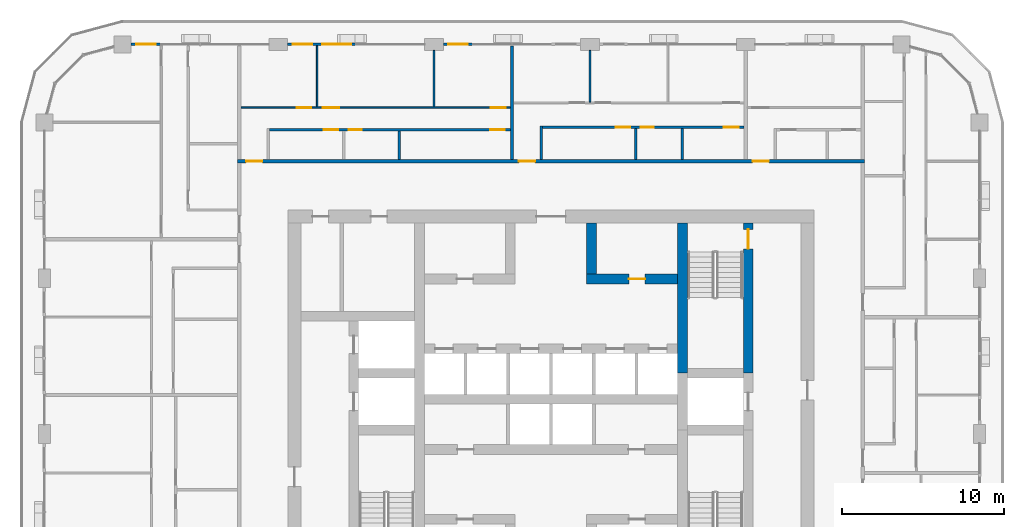
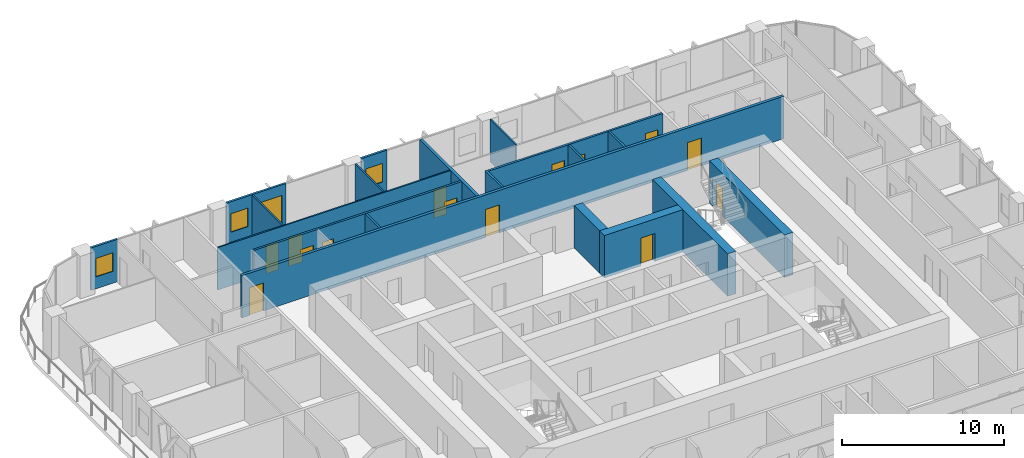
# One storey, part 14 of 22: 19 walls, 15 doors, 3 windows, 18 openings.
"""IFC4 building model written with IfcOpenShell, lengths in metres."""

from ifc_helpers import new_model, si_unit, direction, frame, frame_2d, origin, place, context, subcontext, project, spatial, rectangle, extrude, material, layer, layer_set, type_object, element, fill, save


model = new_model("IFC4")

# Units and contexts
model_context = context("Model", 3, precision=1e-05, world=origin(), true_north=direction((0.0, 1.0)))
body_context = subcontext(model_context, "Body", "Model", "MODEL_VIEW")
ifc_project = project(units=[si_unit("LENGTHUNIT", "METRE"), si_unit("AREAUNIT", "SQUARE_METRE"), si_unit("VOLUMEUNIT", "CUBIC_METRE"), si_unit("PLANEANGLEUNIT", "RADIAN"), si_unit("MASSUNIT", "GRAM", prefix="KILO")], contexts=[model_context])

# Site, building, storey
site_placement = place(None, origin())
site = spatial("IfcSite", under=ifc_project, at=site_placement, CompositionType="ELEMENT")
building_placement = place(site_placement, origin())
building = spatial("IfcBuilding", under=site, at=building_placement, Name="Madar Terraces", CompositionType="ELEMENT")
storey_placement = place(building_placement, frame((0.0, 0.0, 163.0)))
storey = spatial("IfcBuildingStorey", under=building, at=storey_placement, Name="L42", CompositionType="ELEMENT", Elevation=163.0)

# Wall
ifc_material_1 = material(Name="Concrete C70/85", Category="concrete")
ifc_layer_1 = layer(ifc_material_1, 0.60009765625)
ifc_layer_set_1 = layer_set([ifc_layer_1], Name="Concrete C70/85 (CIW3 RC wall 600)")
wall_type_1 = type_object("IfcWallType", Name="CIW3 RC wall 600", PredefinedType="SHEAR", material=ifc_layer_set_1)
wall_1_placement = place(storey_placement, frame((39.300048828125, 27.75, 0.0), z_axis=(0.0, 0.0, 1.0), x_axis=(0.0, 1.0, 0.0)))
element("IfcWall", 1, at=wall_1_placement, inside=storey, type_object=wall_type_1, Name="CORE SHAFT WALL", PredefinedType="SHEAR", context=body_context, shape_type="SweptSolid", body=[
    extrude(rectangle(XDim=9.25, YDim=0.60009765625, at=frame_2d((4.625, 0.0))), origin(), (0.0, 0.0, 1.0), 3.199951171875),
])

# Wall, opening, door
wall_2_placement = place(storey_placement, frame((43.35009765625, 27.75, 0.0), z_axis=(0.0, 0.0, 1.0), x_axis=(0.0, 1.0, 0.0)))
wall_2 = element("IfcWall", 2, at=wall_2_placement, inside=storey, type_object=wall_type_1, Name="CORE SHAFT WALL", PredefinedType="SHEAR", context=body_context, shape_type="SweptSolid", body=[
    extrude(rectangle(XDim=9.25, YDim=0.60009765625, at=frame_2d((4.625, 0.0))), origin(), (0.0, 0.0, 1.0), 3.199951171875),
])
opening_1_placement = place(wall_2_placement, frame((7.64990234375, 0.0, 0.0)))
opening_1 = element("IfcOpeningElement", 3, at=opening_1_placement, cuts=wall_2, Name="Opening SD1", PredefinedType="OPENING", context=body_context, shape_type="SweptSolid", body=[
    extrude(rectangle(XDim=1.199951171875, YDim=2.10009765625, at=frame_2d((0.60009765625, 1.050048828125))), frame((0.0, 0.31005859375, 0.0), z_axis=(0.0, -1.0, 0.0), x_axis=(1.0, 0.0, 0.0)), (0.0, 0.0, 1.0), 0.6201171875),
])
ifc_material_2 = material(Name="Steel door leaf", Category="steel")
door_type_1 = type_object("IfcDoorType", Name="Stair door 1200 x 2100", OperationType="NOTDEFINED", PredefinedType="DOOR", material=ifc_material_2)
door_1_placement = place(opening_1_placement, origin())
door_1 = element("IfcDoor", 4, at=door_1_placement, inside=storey, type_object=door_type_1, Name="STAIR DOOR", OperationType="SINGLE_SWING_RIGHT", OverallHeight=2.10009765625, OverallWidth=1.199951171875, PredefinedType="DOOR", context=body_context, shape_type="SweptSolid", body=[
    extrude(rectangle(XDim=1.199951171875, YDim=2.10009765625, at=frame_2d((0.60009765625, 1.050048828125))), frame((0.0, 0.02490234375, 0.0), z_axis=(0.0, -1.0, 0.0), x_axis=(1.0, 0.0, 0.0)), (0.0, 0.0, 1.0), 0.050048828125),
])
fill(opening_1, door_1)

wall_3_placement = place(storey_placement, frame((33.39990234375, 33.550048828125, 0.0), z_axis=(0.0, 0.0, 1.0), x_axis=(1.0, 0.0, 0.0)))
wall_3 = element("IfcWall", 5, at=wall_3_placement, inside=storey, type_object=wall_type_1, Name="CORE SHAFT WALL", PredefinedType="SHEAR", context=body_context, shape_type="SweptSolid", body=[
    extrude(rectangle(XDim=5.60009765625, YDim=0.60009765625, at=frame_2d((2.800048828125, 0.0))), origin(), (0.0, 0.0, 1.0), 3.199951171875),
])
opening_2_placement = place(wall_3_placement, frame((2.60009765625, 0.0, 0.0)))
opening_2 = element("IfcOpeningElement", 6, at=opening_2_placement, cuts=wall_3, Name="Opening KD2", PredefinedType="OPENING", context=body_context, shape_type="SweptSolid", body=[
    extrude(rectangle(XDim=1.0, YDim=2.10009765625, at=frame_2d((0.5, 1.050048828125))), frame((0.0, 0.31005859375, 0.0), z_axis=(0.0, -1.0, 0.0), x_axis=(1.0, 0.0, 0.0)), (0.0, 0.0, 1.0), 0.6201171875),
])
ifc_material_3 = material(Name="Steel door leaf", Category="steel")
door_type_2 = type_object("IfcDoorType", Name="Service room door 1000 x 2100", OperationType="NOTDEFINED", PredefinedType="DOOR", material=ifc_material_3)
door_2_placement = place(opening_2_placement, frame((1.0, 0.0, 0.0), z_axis=(0.0, 0.0, 1.0), x_axis=(-1.0, 0.0, 0.0)))
door_2 = element("IfcDoor", 7, at=door_2_placement, inside=storey, type_object=door_type_2, Name="SERVICE ROOM DOOR", OperationType="SINGLE_SWING_RIGHT", OverallHeight=2.10009765625, OverallWidth=1.0, PredefinedType="DOOR", context=body_context, shape_type="SweptSolid", body=[
    extrude(rectangle(XDim=1.0, YDim=2.10009765625, at=frame_2d((0.5, 1.050048828125))), frame((0.0, 0.02490234375, 0.0), z_axis=(0.0, -1.0, 0.0), x_axis=(1.0, 0.0, 0.0)), (0.0, 0.0, 1.0), 0.050048828125),
])
fill(opening_2, door_2)

# Wall
wall_4_placement = place(storey_placement, frame((33.699951171875, 33.85009765625, 0.0), z_axis=(0.0, 0.0, 1.0), x_axis=(0.0, 1.0, 0.0)))
element("IfcWall", 8, at=wall_4_placement, inside=storey, type_object=wall_type_1, Name="CORE SHAFT WALL", PredefinedType="SHEAR", context=body_context, shape_type="SweptSolid", body=[
    extrude(rectangle(XDim=3.14990234375, YDim=0.60009765625, at=frame_2d((1.574951171875, 0.0))), origin(), (0.0, 0.0, 1.0), 3.199951171875),
])

# Wall, opening, window
ifc_material_4 = material(Name="Aluminium composite panel, black, over insulated backing", Category="aluminium")
ifc_layer_2 = layer(ifc_material_4, 0.14990234375)
ifc_layer_set_2 = layer_set([ifc_layer_2], Name="Facade bay panel 150")
wall_type_2 = type_object("IfcWallType", Name="Facade bay panel 150", PredefinedType="SOLIDWALL", material=ifc_layer_set_2)
wall_5_placement = place(storey_placement, frame((26.39990234375, 48.0, 0.0), z_axis=(0.0, 0.0, 1.0), x_axis=(-1.0, 0.0, 0.0)))
wall_5 = element("IfcWall", 9, at=wall_5_placement, inside=storey, type_object=wall_type_2, Name="Facade bay panel", PredefinedType="SOLIDWALL", context=body_context, shape_type="SweptSolid", body=[
    extrude(rectangle(XDim=1.824951171875, YDim=0.14990234375, at=frame_2d((0.91259765625, 0.0))), origin(), (0.0, 0.0, 1.0), 3.199951171875),
])
opening_3_placement = place(wall_5_placement, frame((0.3125, 0.0, 0.89990234375)))
opening_3 = element("IfcOpeningElement", 10, at=opening_3_placement, cuts=wall_5, Name="Opening W1", PredefinedType="OPENING", context=body_context, shape_type="SweptSolid", body=[
    extrude(rectangle(XDim=1.199951171875, YDim=1.39990234375, at=frame_2d((0.60009765625, 0.699951171875))), frame((0.0, 0.0849609375, 0.0), z_axis=(0.0, -1.0, 0.0), x_axis=(1.0, 0.0, 0.0)), (0.0, 0.0, 1.0), 0.169921875),
])
ifc_material_5 = material(Name="Glass, clear, with black aluminium frame", Category="aluminium")
window_type = type_object("IfcWindowType", Name="Vent window 1200 x 1400", PartitioningType="SINGLE_PANEL", PredefinedType="WINDOW", material=ifc_material_5)
window_1_placement = place(opening_3_placement, origin())
window_1 = element("IfcWindow", 11, at=window_1_placement, inside=storey, type_object=window_type, Name="Operable vent window", OverallHeight=1.39990234375, OverallWidth=1.199951171875, PartitioningType="SINGLE_PANEL", PredefinedType="WINDOW", context=body_context, shape_type="SweptSolid", body=[
    extrude(rectangle(XDim=1.199951171875, YDim=1.39990234375, at=frame_2d((0.60009765625, 0.699951171875))), frame((0.0, 0.030029296875, 0.0), z_axis=(0.0, -1.0, 0.0), x_axis=(1.0, 0.0, 0.0)), (0.0, 0.0, 1.0), 0.06005859375),
])
fill(opening_3, window_1)

# Wall, openings, door, window
wall_6_placement = place(storey_placement, frame((19.199951171875, 48.0, 0.0), z_axis=(0.0, 0.0, 1.0), x_axis=(-1.0, 0.0, 0.0)))
wall_6 = element("IfcWall", 12, at=wall_6_placement, inside=storey, type_object=wall_type_2, Name="Facade bay panel", PredefinedType="SOLIDWALL", context=body_context, shape_type="SweptSolid", body=[
    extrude(rectangle(XDim=4.224853515625, YDim=0.14990234375, at=frame_2d((2.1123046875, 0.0))), origin(), (0.0, 0.0, 1.0), 3.199951171875),
])
opening_4_placement = place(wall_6_placement, frame((0.300048828125, 0.0, 0.0)))
opening_4 = element("IfcOpeningElement", 13, at=opening_4_placement, cuts=wall_6, Name="Opening ED1", PredefinedType="OPENING", context=body_context, shape_type="SweptSolid", body=[
    extrude(rectangle(XDim=1.800048828125, YDim=2.39990234375, at=frame_2d((0.89990234375, 1.199951171875))), frame((0.0, 0.0849609375, 0.0), z_axis=(0.0, -1.0, 0.0), x_axis=(1.0, 0.0, 0.0)), (0.0, 0.0, 1.0), 0.169921875),
])
opening_5_placement = place(wall_6_placement, frame((2.71240234375, 0.0, 0.89990234375)))
opening_5 = element("IfcOpeningElement", 14, at=opening_5_placement, cuts=wall_6, Name="Opening W1", PredefinedType="OPENING", context=body_context, shape_type="SweptSolid", body=[
    extrude(rectangle(XDim=1.199951171875, YDim=1.39990234375, at=frame_2d((0.60009765625, 0.699951171875))), frame((0.0, 0.0849609375, 0.0), z_axis=(0.0, -1.0, 0.0), x_axis=(1.0, 0.0, 0.0)), (0.0, 0.0, 1.0), 0.169921875),
])
ifc_material_6 = material(Name="Glass, clear, with black aluminium frame", Category="aluminium")
door_type_3 = type_object("IfcDoorType", Name="Balcony and terrace sliding door 1800 x 2400", OperationType="SLIDING_TO_LEFT", PredefinedType="DOOR", material=ifc_material_6)
door_3_placement = place(opening_4_placement, origin())
door_3 = element("IfcDoor", 15, at=door_3_placement, inside=storey, type_object=door_type_3, Name="Balcony door", OperationType="SLIDING_TO_RIGHT", OverallHeight=2.39990234375, OverallWidth=1.800048828125, PredefinedType="DOOR", context=body_context, shape_type="SweptSolid", body=[
    extrude(rectangle(XDim=1.800048828125, YDim=2.39990234375, at=frame_2d((0.89990234375, 1.199951171875))), frame((0.0, 0.02490234375, 0.0), z_axis=(0.0, -1.0, 0.0), x_axis=(1.0, 0.0, 0.0)), (0.0, 0.0, 1.0), 0.050048828125),
])
fill(opening_4, door_3)
window_2_placement = place(opening_5_placement, origin())
window_2 = element("IfcWindow", 16, at=window_2_placement, inside=storey, type_object=window_type, Name="Operable vent window", OverallHeight=1.39990234375, OverallWidth=1.199951171875, PartitioningType="SINGLE_PANEL", PredefinedType="WINDOW", context=body_context, shape_type="SweptSolid", body=[
    extrude(rectangle(XDim=1.199951171875, YDim=1.39990234375, at=frame_2d((0.60009765625, 0.699951171875))), frame((0.0, 0.030029296875, 0.0), z_axis=(0.0, -1.0, 0.0), x_axis=(1.0, 0.0, 0.0)), (0.0, 0.0, 1.0), 0.06005859375),
])
fill(opening_5, window_2)

# Wall, opening, window
wall_7_placement = place(storey_placement, frame((7.199951171875, 48.0, 0.0), z_axis=(0.0, 0.0, 1.0), x_axis=(-1.0, 0.0, 0.0)))
wall_7 = element("IfcWall", 17, at=wall_7_placement, inside=storey, type_object=wall_type_2, Name="Facade bay panel", PredefinedType="SOLIDWALL", context=body_context, shape_type="SweptSolid", body=[
    extrude(rectangle(XDim=1.875, YDim=0.14990234375, at=frame_2d((0.9375, 0.0))), origin(), (0.0, 0.0, 1.0), 3.199951171875),
])
opening_6_placement = place(wall_7_placement, frame((0.33740234375, 0.0, 0.89990234375)))
opening_6 = element("IfcOpeningElement", 18, at=opening_6_placement, cuts=wall_7, Name="Opening W1", PredefinedType="OPENING", context=body_context, shape_type="SweptSolid", body=[
    extrude(rectangle(XDim=1.199951171875, YDim=1.39990234375, at=frame_2d((0.60009765625, 0.699951171875))), frame((0.0, 0.0849609375, 0.0), z_axis=(0.0, -1.0, 0.0), x_axis=(1.0, 0.0, 0.0)), (0.0, 0.0, 1.0), 0.169921875),
])
window_3_placement = place(opening_6_placement, origin())
window_3 = element("IfcWindow", 19, at=window_3_placement, inside=storey, type_object=window_type, Name="Operable vent window", OverallHeight=1.39990234375, OverallWidth=1.199951171875, PartitioningType="SINGLE_PANEL", PredefinedType="WINDOW", context=body_context, shape_type="SweptSolid", body=[
    extrude(rectangle(XDim=1.199951171875, YDim=1.39990234375, at=frame_2d((0.60009765625, 0.699951171875))), frame((0.0, 0.030029296875, 0.0), z_axis=(0.0, -1.0, 0.0), x_axis=(1.0, 0.0, 0.0)), (0.0, 0.0, 1.0), 0.06005859375),
])
fill(opening_6, window_3)

# Walls
ifc_material_7 = material(Name="Gypsum board on steel studs", Category="steel")
ifc_layer_3 = layer(ifc_material_7, 0.10009765625)
ifc_layer_set_3 = layer_set([ifc_layer_3], Name="Flat partition 100")
wall_type_3 = type_object("IfcWallType", Name="Flat partition 100", PredefinedType="PARTITIONING", material=ifc_layer_set_3)
wall_8_placement = place(storey_placement, frame((33.60009765625, 44.449951171875, 0.0), z_axis=(0.0, 0.0, 1.0), x_axis=(0.0, 1.0, 0.0)))
element("IfcWall", 20, at=wall_8_placement, inside=storey, type_object=wall_type_3, Name="Flat partition 100", PredefinedType="PARTITIONING", context=body_context, shape_type="SweptSolid", body=[
    extrude(rectangle(XDim=3.175048828125, YDim=0.10009765625, at=frame_2d((1.58740234375, 0.0))), origin(), (0.0, 0.0, 1.0), 3.199951171875),
])
wall_9_placement = place(storey_placement, frame((16.800048828125, 44.14990234375, 0.0), z_axis=(0.0, 0.0, 1.0), x_axis=(0.0, 1.0, 0.0)))
element("IfcWall", 21, at=wall_9_placement, inside=storey, type_object=wall_type_3, Name="Flat partition 100", PredefinedType="PARTITIONING", context=body_context, shape_type="SweptSolid", body=[
    extrude(rectangle(XDim=3.75, YDim=0.10009765625, at=frame_2d((1.875, 0.0))), origin(), (0.0, 0.0, 1.0), 3.199951171875),
])
wall_10_placement = place(storey_placement, frame((24.0, 44.14990234375, 0.0), z_axis=(0.0, 0.0, 1.0), x_axis=(0.0, 1.0, 0.0)))
element("IfcWall", 22, at=wall_10_placement, inside=storey, type_object=wall_type_3, Name="Flat partition 100", PredefinedType="PARTITIONING", context=body_context, shape_type="SweptSolid", body=[
    extrude(rectangle(XDim=3.47509765625, YDim=0.10009765625, at=frame_2d((1.737548828125, 0.0))), origin(), (0.0, 0.0, 1.0), 3.199951171875),
])

# Wall, openings, doors
wall_11_placement = place(storey_placement, frame((12.10009765625, 44.10009765625, 0.0), z_axis=(0.0, 0.0, 1.0), x_axis=(1.0, 0.0, 0.0)))
wall_11 = element("IfcWall", 23, at=wall_11_placement, inside=storey, type_object=wall_type_3, Name="Flat partition 100", PredefinedType="PARTITIONING", context=body_context, shape_type="SweptSolid", body=[
    extrude(rectangle(XDim=16.599853515625, YDim=0.10009765625, at=frame_2d((8.2998046875, 0.0))), origin(), (0.0, 0.0, 1.0), 3.199951171875),
])
opening_7_placement = place(wall_11_placement, frame((3.449951171875, 0.0, 0.0)))
opening_7 = element("IfcOpeningElement", 24, at=opening_7_placement, cuts=wall_11, Name="Opening D2", PredefinedType="OPENING", context=body_context, shape_type="SweptSolid", body=[
    extrude(rectangle(XDim=0.89990234375, YDim=2.10009765625, at=frame_2d((0.449951171875, 1.050048828125))), frame((0.0, 0.06005859375, 0.0), z_axis=(0.0, -1.0, 0.0), x_axis=(1.0, 0.0, 0.0)), (0.0, 0.0, 1.0), 0.1201171875),
])
opening_8_placement = place(wall_11_placement, frame((5.050048828125, 0.0, 0.0)))
opening_8 = element("IfcOpeningElement", 25, at=opening_8_placement, cuts=wall_11, Name="Opening D3", PredefinedType="OPENING", context=body_context, shape_type="SweptSolid", body=[
    extrude(rectangle(XDim=1.0, YDim=2.10009765625, at=frame_2d((0.5, 1.050048828125))), frame((0.0, 0.06005859375, 0.0), z_axis=(0.0, -1.0, 0.0), x_axis=(1.0, 0.0, 0.0)), (0.0, 0.0, 1.0), 0.1201171875),
])
opening_9_placement = place(wall_11_placement, frame((15.39990234375, 0.0, 0.0)))
opening_9 = element("IfcOpeningElement", 26, at=opening_9_placement, cuts=wall_11, Name="Opening D2", PredefinedType="OPENING", context=body_context, shape_type="SweptSolid", body=[
    extrude(rectangle(XDim=0.89990234375, YDim=2.10009765625, at=frame_2d((0.449951171875, 1.050048828125))), frame((0.0, 0.06005859375, 0.0), z_axis=(0.0, -1.0, 0.0), x_axis=(1.0, 0.0, 0.0)), (0.0, 0.0, 1.0), 0.1201171875),
])
ifc_material_8 = material(Name="Timber door leaf", Category="wood")
door_type_4 = type_object("IfcDoorType", Name="Flat living room door 1000", OperationType="NOTDEFINED", PredefinedType="DOOR", material=ifc_material_8)
door_4_placement = place(opening_8_placement, origin())
door_4 = element("IfcDoor", 27, at=door_4_placement, inside=storey, type_object=door_type_4, Name="Flat living room door 1000", OperationType="SINGLE_SWING_LEFT", OverallHeight=2.10009765625, OverallWidth=1.0, PredefinedType="DOOR", context=body_context, shape_type="SweptSolid", body=[
    extrude(rectangle(XDim=1.0, YDim=2.10009765625, at=frame_2d((0.5, 1.050048828125))), frame((0.0, 0.02490234375, 0.0), z_axis=(0.0, -1.0, 0.0), x_axis=(1.0, 0.0, 0.0)), (0.0, 0.0, 1.0), 0.050048828125),
])
fill(opening_8, door_4)
ifc_material_9 = material(Name="Timber door leaf", Category="wood")
door_type_5 = type_object("IfcDoorType", Name="Flat room door 900", OperationType="NOTDEFINED", PredefinedType="DOOR", material=ifc_material_9)
door_5_placement = place(opening_7_placement, origin())
door_5 = element("IfcDoor", 28, at=door_5_placement, inside=storey, type_object=door_type_5, Name="Flat room door 900", OperationType="SINGLE_SWING_RIGHT", OverallHeight=2.10009765625, OverallWidth=0.89990234375, PredefinedType="DOOR", context=body_context, shape_type="SweptSolid", body=[
    extrude(rectangle(XDim=0.89990234375, YDim=2.10009765625, at=frame_2d((0.449951171875, 1.050048828125))), frame((0.0, 0.02490234375, 0.0), z_axis=(0.0, -1.0, 0.0), x_axis=(1.0, 0.0, 0.0)), (0.0, 0.0, 1.0), 0.050048828125),
])
fill(opening_7, door_5)
door_6_placement = place(opening_9_placement, origin())
door_6 = element("IfcDoor", 29, at=door_6_placement, inside=storey, type_object=door_type_5, Name="Flat room door 900", OperationType="SINGLE_SWING_RIGHT", OverallHeight=2.10009765625, OverallWidth=0.89990234375, PredefinedType="DOOR", context=body_context, shape_type="SweptSolid", body=[
    extrude(rectangle(XDim=0.89990234375, YDim=2.10009765625, at=frame_2d((0.449951171875, 1.050048828125))), frame((0.0, 0.02490234375, 0.0), z_axis=(0.0, -1.0, 0.0), x_axis=(1.0, 0.0, 0.0)), (0.0, 0.0, 1.0), 0.050048828125),
])
fill(opening_9, door_6)

ifc_material_10 = material(Name="Lightweight blockwork", Category="masonry")
ifc_layer_4 = layer(ifc_material_10, 0.199951171875)
ifc_layer_set_4 = layer_set([ifc_layer_4], Name="Flat party and entrance wall 200")
wall_type_4 = type_object("IfcWallType", Name="Flat party and entrance wall 200", PredefinedType="PARTITIONING", material=ifc_layer_set_4)
wall_12_placement = place(storey_placement, frame((11.89990234375, 40.800048828125, 0.0), z_axis=(0.0, 0.0, 1.0), x_axis=(1.0, 0.0, 0.0)))
wall_12 = element("IfcWall", 30, at=wall_12_placement, inside=storey, type_object=wall_type_4, Name="Flat party and entrance wall 200", PredefinedType="PARTITIONING", context=body_context, shape_type="SweptSolid", body=[
    extrude(rectangle(XDim=38.60009765625, YDim=0.199951171875, at=frame_2d((19.300048828125, 0.0))), origin(), (0.0, 0.0, 1.0), 3.199951171875),
])
opening_10_placement = place(wall_12_placement, frame((31.72509765625, 0.0, 0.0)))
opening_10 = element("IfcOpeningElement", 31, at=opening_10_placement, cuts=wall_12, Name="Opening D1", PredefinedType="OPENING", context=body_context, shape_type="SweptSolid", body=[
    extrude(rectangle(XDim=1.0, YDim=2.10009765625, at=frame_2d((0.5, 1.050048828125))), frame((0.0, 0.10986328125, 0.0), z_axis=(0.0, -1.0, 0.0), x_axis=(1.0, 0.0, 0.0)), (0.0, 0.0, 1.0), 0.219970703125),
])
opening_11_placement = place(wall_12_placement, frame((17.324951171875, 0.0, 0.0)))
opening_11 = element("IfcOpeningElement", 32, at=opening_11_placement, cuts=wall_12, Name="Opening D1", PredefinedType="OPENING", context=body_context, shape_type="SweptSolid", body=[
    extrude(rectangle(XDim=1.0, YDim=2.10009765625, at=frame_2d((0.5, 1.050048828125))), frame((0.0, 0.10986328125, 0.0), z_axis=(0.0, -1.0, 0.0), x_axis=(1.0, 0.0, 0.0)), (0.0, 0.0, 1.0), 0.219970703125),
])
opening_12_placement = place(wall_12_placement, frame((0.52490234375, 0.0, 0.0)))
opening_12 = element("IfcOpeningElement", 33, at=opening_12_placement, cuts=wall_12, Name="Opening D1", PredefinedType="OPENING", context=body_context, shape_type="SweptSolid", body=[
    extrude(rectangle(XDim=1.0, YDim=2.10009765625, at=frame_2d((0.5, 1.050048828125))), frame((0.0, 0.10986328125, 0.0), z_axis=(0.0, -1.0, 0.0), x_axis=(1.0, 0.0, 0.0)), (0.0, 0.0, 1.0), 0.219970703125),
])
ifc_material_11 = material(Name="Timber fire door leaf", Category="wood")
door_type_6 = type_object("IfcDoorType", Name="Flat entrance door 1000 FD30S", OperationType="NOTDEFINED", PredefinedType="DOOR", material=ifc_material_11)
door_7_placement = place(opening_10_placement, origin())
door_7 = element("IfcDoor", 34, at=door_7_placement, inside=storey, type_object=door_type_6, Name="Flat entrance door 1000 FD30S", OperationType="SINGLE_SWING_LEFT", OverallHeight=2.10009765625, OverallWidth=1.0, PredefinedType="DOOR", context=body_context, shape_type="SweptSolid", body=[
    extrude(rectangle(XDim=1.0, YDim=2.10009765625, at=frame_2d((0.5, 1.050048828125))), frame((0.0, 0.02490234375, 0.0), z_axis=(0.0, -1.0, 0.0), x_axis=(1.0, 0.0, 0.0)), (0.0, 0.0, 1.0), 0.050048828125),
])
fill(opening_10, door_7)
door_8_placement = place(opening_11_placement, origin())
door_8 = element("IfcDoor", 35, at=door_8_placement, inside=storey, type_object=door_type_6, Name="Flat entrance door 1000 FD30S", OperationType="SINGLE_SWING_LEFT", OverallHeight=2.10009765625, OverallWidth=1.0, PredefinedType="DOOR", context=body_context, shape_type="SweptSolid", body=[
    extrude(rectangle(XDim=1.0, YDim=2.10009765625, at=frame_2d((0.5, 1.050048828125))), frame((0.0, 0.02490234375, 0.0), z_axis=(0.0, -1.0, 0.0), x_axis=(1.0, 0.0, 0.0)), (0.0, 0.0, 1.0), 0.050048828125),
])
fill(opening_11, door_8)
door_9_placement = place(opening_12_placement, origin())
door_9 = element("IfcDoor", 36, at=door_9_placement, inside=storey, type_object=door_type_6, Name="Flat entrance door 1000 FD30S", OperationType="SINGLE_SWING_LEFT", OverallHeight=2.10009765625, OverallWidth=1.0, PredefinedType="DOOR", context=body_context, shape_type="SweptSolid", body=[
    extrude(rectangle(XDim=1.0, YDim=2.10009765625, at=frame_2d((0.5, 1.050048828125))), frame((0.0, 0.02490234375, 0.0), z_axis=(0.0, -1.0, 0.0), x_axis=(1.0, 0.0, 0.0)), (0.0, 0.0, 1.0), 0.050048828125),
])
fill(opening_12, door_9)

# Walls
wall_13_placement = place(storey_placement, frame((28.800048828125, 47.89990234375, 0.0), z_axis=(0.0, 0.0, 1.0), x_axis=(0.0, -1.0, 0.0)))
element("IfcWall", 37, at=wall_13_placement, inside=storey, type_object=wall_type_4, Name="Flat party and entrance wall 200", PredefinedType="PARTITIONING", context=body_context, shape_type="SweptSolid", body=[
    extrude(rectangle(XDim=7.0, YDim=0.199951171875, at=frame_2d((3.5, 0.0))), origin(), (0.0, 0.0, 1.0), 3.199951171875),
])
ifc_material_12 = material(Name="Lightweight blockwork", Category="masonry")
ifc_layer_5 = layer(ifc_material_12, 0.14990234375)
ifc_layer_set_5 = layer_set([ifc_layer_5], Name="Flat wet-room partition 150")
wall_type_5 = type_object("IfcWallType", Name="Flat wet-room partition 150", PredefinedType="PARTITIONING", material=ifc_layer_set_5)
for number, where, z_axis, x_axis, name in (
    (38, (36.40966796875, 40.89990234375, 0.0), (0.0, 0.0, 1.0), (0.0, 1.0, 0.0), "Flat wet-room partition 150"),
    (39, (39.27685546875, 40.89990234375, 0.0), (0.0, 0.0, 1.0), (0.0, 1.0, 0.0), "Flat wet-room partition 150"),
):
    element("IfcWall", number, at=place(storey_placement, frame(where, z_axis=z_axis, x_axis=x_axis)), inside=storey, type_object=wall_type_5, Name=name, PredefinedType="PARTITIONING", context=body_context, shape_type="SweptSolid", body=[
        extrude(rectangle(XDim=1.925048828125, YDim=0.14990234375, at=frame_2d((0.96240234375, 0.0))), origin(), (0.0, 0.0, 1.0), 3.199951171875),
    ])
wall_14_placement = place(storey_placement, frame((30.60009765625, 40.89990234375, 0.0), z_axis=(0.0, 0.0, 1.0), x_axis=(0.0, 1.0, 0.0)))
element("IfcWall", 40, at=wall_14_placement, inside=storey, type_object=wall_type_5, Name="Flat wet-room partition 150", PredefinedType="PARTITIONING", context=body_context, shape_type="SweptSolid", body=[
    extrude(rectangle(XDim=2.0751953125, YDim=0.14990234375, at=frame_2d((1.03759765625, 0.0))), origin(), (0.0, 0.0, 1.0), 3.199951171875),
])

# Wall, openings, doors
wall_15_placement = place(storey_placement, frame((43.10009765625, 42.89990234375, 0.0), z_axis=(0.0, 0.0, 1.0), x_axis=(-1.0, 0.0, 0.0)))
wall_15 = element("IfcWall", 41, at=wall_15_placement, inside=storey, type_object=wall_type_5, Name="Flat wet-room partition 150", PredefinedType="PARTITIONING", context=body_context, shape_type="SweptSolid", body=[
    extrude(rectangle(XDim=12.425048828125, YDim=0.14990234375, at=frame_2d((6.21240234375, 0.0))), origin(), (0.0, 0.0, 1.0), 3.199951171875),
])
opening_13_placement = place(wall_15_placement, frame((7.015380859375, 0.0, 0.0)))
opening_13 = element("IfcOpeningElement", 42, at=opening_13_placement, cuts=wall_15, Name="Opening D2", PredefinedType="OPENING", context=body_context, shape_type="SweptSolid", body=[
    extrude(rectangle(XDim=0.89990234375, YDim=2.10009765625, at=frame_2d((0.449951171875, 1.050048828125))), frame((0.0, 0.0849609375, 0.0), z_axis=(0.0, -1.0, 0.0), x_axis=(1.0, 0.0, 0.0)), (0.0, 0.0, 1.0), 0.169921875),
])
opening_14_placement = place(wall_15_placement, frame((5.5654296875, 0.0, 0.0)))
opening_14 = element("IfcOpeningElement", 43, at=opening_14_placement, cuts=wall_15, Name="Opening D4", PredefinedType="OPENING", context=body_context, shape_type="SweptSolid", body=[
    extrude(rectangle(XDim=0.800048828125, YDim=2.10009765625, at=frame_2d((0.39990234375, 1.050048828125))), frame((0.0, 0.0849609375, 0.0), z_axis=(0.0, -1.0, 0.0), x_axis=(1.0, 0.0, 0.0)), (0.0, 0.0, 1.0), 0.169921875),
])
opening_15_placement = place(wall_15_placement, frame((0.35009765625, 0.0, 0.0)))
opening_15 = element("IfcOpeningElement", 44, at=opening_15_placement, cuts=wall_15, Name="Opening D5", PredefinedType="OPENING", context=body_context, shape_type="SweptSolid", body=[
    extrude(rectangle(XDim=0.89990234375, YDim=2.10009765625, at=frame_2d((0.449951171875, 1.050048828125))), frame((0.0, 0.0849609375, 0.0), z_axis=(0.0, -1.0, 0.0), x_axis=(1.0, 0.0, 0.0)), (0.0, 0.0, 1.0), 0.169921875),
])
ifc_material_13 = material(Name="Timber door leaf", Category="wood")
door_type_7 = type_object("IfcDoorType", Name="Flat accessible bathroom door 900", OperationType="NOTDEFINED", PredefinedType="DOOR", material=ifc_material_13)
door_10_placement = place(opening_15_placement, origin())
door_10 = element("IfcDoor", 45, at=door_10_placement, inside=storey, type_object=door_type_7, Name="Flat accessible bathroom door 900", OperationType="SINGLE_SWING_LEFT", OverallHeight=2.10009765625, OverallWidth=0.89990234375, PredefinedType="DOOR", context=body_context, shape_type="SweptSolid", body=[
    extrude(rectangle(XDim=0.89990234375, YDim=2.10009765625, at=frame_2d((0.449951171875, 1.050048828125))), frame((0.0, 0.02490234375, 0.0), z_axis=(0.0, -1.0, 0.0), x_axis=(1.0, 0.0, 0.0)), (0.0, 0.0, 1.0), 0.050048828125),
])
fill(opening_15, door_10)
ifc_material_14 = material(Name="Timber door leaf", Category="wood")
door_type_8 = type_object("IfcDoorType", Name="Flat bathroom door 800", OperationType="NOTDEFINED", PredefinedType="DOOR", material=ifc_material_14)
door_11_placement = place(opening_14_placement, origin())
door_11 = element("IfcDoor", 46, at=door_11_placement, inside=storey, type_object=door_type_8, Name="Flat bathroom door 800", OperationType="SINGLE_SWING_RIGHT", OverallHeight=2.10009765625, OverallWidth=0.800048828125, PredefinedType="DOOR", context=body_context, shape_type="SweptSolid", body=[
    extrude(rectangle(XDim=0.800048828125, YDim=2.10009765625, at=frame_2d((0.39990234375, 1.050048828125))), frame((0.0, 0.02490234375, 0.0), z_axis=(0.0, -1.0, 0.0), x_axis=(1.0, 0.0, 0.0)), (0.0, 0.0, 1.0), 0.050048828125),
])
fill(opening_14, door_11)
door_12_placement = place(opening_13_placement, origin())
door_12 = element("IfcDoor", 47, at=door_12_placement, inside=storey, type_object=door_type_5, Name="Flat room door 900", OperationType="SINGLE_SWING_LEFT", OverallHeight=2.10009765625, OverallWidth=0.89990234375, PredefinedType="DOOR", context=body_context, shape_type="SweptSolid", body=[
    extrude(rectangle(XDim=0.89990234375, YDim=2.10009765625, at=frame_2d((0.449951171875, 1.050048828125))), frame((0.0, 0.02490234375, 0.0), z_axis=(0.0, -1.0, 0.0), x_axis=(1.0, 0.0, 0.0)), (0.0, 0.0, 1.0), 0.050048828125),
])
fill(opening_13, door_12)

# Wall
wall_16_placement = place(storey_placement, frame((21.857666015625, 40.89990234375, 0.0), z_axis=(0.0, 0.0, 1.0), x_axis=(0.0, 1.0, 0.0)))
element("IfcWall", 48, at=wall_16_placement, inside=storey, type_object=wall_type_5, Name="Flat wet-room partition 150", PredefinedType="PARTITIONING", context=body_context, shape_type="SweptSolid", body=[
    extrude(rectangle(XDim=1.775146484375, YDim=0.14990234375, at=frame_2d((0.8876953125, 0.0))), origin(), (0.0, 0.0, 1.0), 3.199951171875),
])

# Wall, openings, doors
wall_17_placement = place(storey_placement, frame((28.699951171875, 42.75, 0.0), z_axis=(0.0, 0.0, 1.0), x_axis=(-1.0, 0.0, 0.0)))
wall_17 = element("IfcWall", 49, at=wall_17_placement, inside=storey, type_object=wall_type_5, Name="Flat wet-room partition 150", PredefinedType="PARTITIONING", context=body_context, shape_type="SweptSolid", body=[
    extrude(rectangle(XDim=14.824951171875, YDim=0.14990234375, at=frame_2d((7.41259765625, 0.0))), origin(), (0.0, 0.0, 1.0), 3.199951171875),
])
opening_16_placement = place(wall_17_placement, frame((10.58837890625, 0.0, 0.0)))
opening_16 = element("IfcOpeningElement", 50, at=opening_16_placement, cuts=wall_17, Name="Opening D5", PredefinedType="OPENING", context=body_context, shape_type="SweptSolid", body=[
    extrude(rectangle(XDim=0.89990234375, YDim=2.10009765625, at=frame_2d((0.449951171875, 1.050048828125))), frame((0.0, 0.0849609375, 0.0), z_axis=(0.0, -1.0, 0.0), x_axis=(1.0, 0.0, 0.0)), (0.0, 0.0, 1.0), 0.169921875),
])
opening_17_placement = place(wall_17_placement, frame((9.138427734375, 0.0, 0.0)))
opening_17 = element("IfcOpeningElement", 51, at=opening_17_placement, cuts=wall_17, Name="Opening D4", PredefinedType="OPENING", context=body_context, shape_type="SweptSolid", body=[
    extrude(rectangle(XDim=0.800048828125, YDim=2.10009765625, at=frame_2d((0.39990234375, 1.050048828125))), frame((0.0, 0.0849609375, 0.0), z_axis=(0.0, -1.0, 0.0), x_axis=(1.0, 0.0, 0.0)), (0.0, 0.0, 1.0), 0.169921875),
])
opening_18_placement = place(wall_17_placement, frame((0.35009765625, 0.0, 0.0)))
opening_18 = element("IfcOpeningElement", 52, at=opening_18_placement, cuts=wall_17, Name="Opening D2", PredefinedType="OPENING", context=body_context, shape_type="SweptSolid", body=[
    extrude(rectangle(XDim=0.89990234375, YDim=2.10009765625, at=frame_2d((0.449951171875, 1.050048828125))), frame((0.0, 0.0849609375, 0.0), z_axis=(0.0, -1.0, 0.0), x_axis=(1.0, 0.0, 0.0)), (0.0, 0.0, 1.0), 0.169921875),
])
door_13_placement = place(opening_16_placement, origin())
door_13 = element("IfcDoor", 53, at=door_13_placement, inside=storey, type_object=door_type_7, Name="Flat accessible bathroom door 900", OperationType="SINGLE_SWING_LEFT", OverallHeight=2.10009765625, OverallWidth=0.89990234375, PredefinedType="DOOR", context=body_context, shape_type="SweptSolid", body=[
    extrude(rectangle(XDim=0.89990234375, YDim=2.10009765625, at=frame_2d((0.449951171875, 1.050048828125))), frame((0.0, 0.02490234375, 0.0), z_axis=(0.0, -1.0, 0.0), x_axis=(1.0, 0.0, 0.0)), (0.0, 0.0, 1.0), 0.050048828125),
])
fill(opening_16, door_13)
door_14_placement = place(opening_17_placement, origin())
door_14 = element("IfcDoor", 54, at=door_14_placement, inside=storey, type_object=door_type_8, Name="Flat bathroom door 800", OperationType="SINGLE_SWING_RIGHT", OverallHeight=2.10009765625, OverallWidth=0.800048828125, PredefinedType="DOOR", context=body_context, shape_type="SweptSolid", body=[
    extrude(rectangle(XDim=0.800048828125, YDim=2.10009765625, at=frame_2d((0.39990234375, 1.050048828125))), frame((0.0, 0.02490234375, 0.0), z_axis=(0.0, -1.0, 0.0), x_axis=(1.0, 0.0, 0.0)), (0.0, 0.0, 1.0), 0.050048828125),
])
fill(opening_17, door_14)
door_15_placement = place(opening_18_placement, origin())
door_15 = element("IfcDoor", 55, at=door_15_placement, inside=storey, type_object=door_type_5, Name="Flat room door 900", OperationType="SINGLE_SWING_LEFT", OverallHeight=2.10009765625, OverallWidth=0.89990234375, PredefinedType="DOOR", context=body_context, shape_type="SweptSolid", body=[
    extrude(rectangle(XDim=0.89990234375, YDim=2.10009765625, at=frame_2d((0.449951171875, 1.050048828125))), frame((0.0, 0.02490234375, 0.0), z_axis=(0.0, -1.0, 0.0), x_axis=(1.0, 0.0, 0.0)), (0.0, 0.0, 1.0), 0.050048828125),
])
fill(opening_18, door_15)

save(model, "model.ifc")
